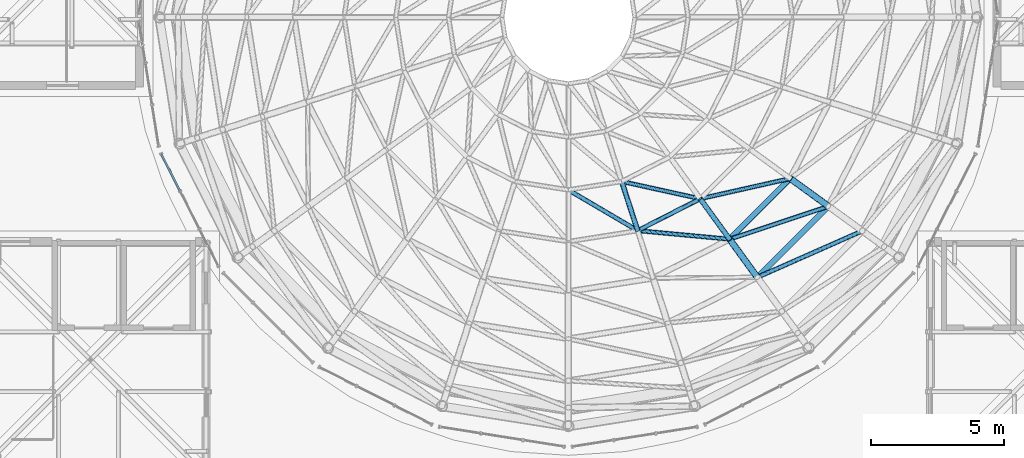
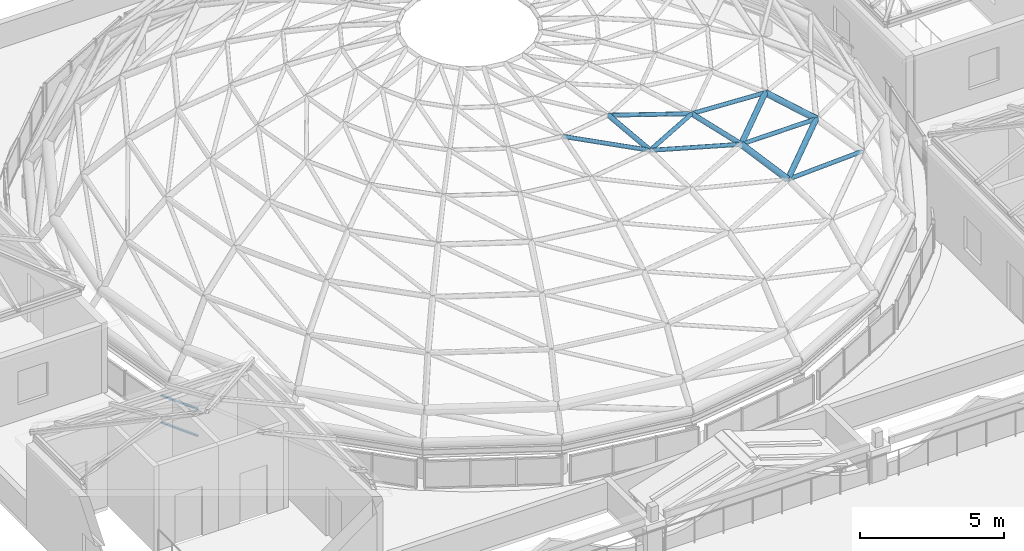
# One storey, part 20 of 69: 15 members, 1 element without a shape of its own.
"""IFC4 building model written with IfcOpenShell, lengths in metres."""

import ifcopenshell
import ifcopenshell.guid

model = None  # the IFC model being written
_history = None  # IfcOwnerHistory: only IFC2X3 demands one
_inside = {}  # id of a spatial element -> (the spatial element, [elements in it])
_under = {}  # id of a project, library or spatial element -> (it, [spatial elements below it])
_declared = {}  # id of a project -> (the project, [libraries it declares])
_typed = {}  # id of a type object -> (the type object, [elements of that type])
_made_of = {}  # id of a material, layer set ... -> (it, [elements and type objects made of it])


def new_model(schema):
    """Start an empty IFC model of exactly this schema.

    Asked for "IFC4X3", IfcOpenShell would pick the latest addendum, in which some entities
    have other attributes; the version numbers below select the first issue.
    IFC2X3 requires an IfcOwnerHistory on every rooted entity: one is made here for all.
    """
    global model, _history
    if schema == "IFC4X3":
        model = ifcopenshell.file(schema_version=(4, 3, 0, 0))
    else:
        model = ifcopenshell.file(schema=schema)
    _inside.clear()
    _under.clear()
    _declared.clear()
    _typed.clear()
    _made_of.clear()
    _history = None
    if model.schema == "IFC2X3":
        org = make("IfcOrganization", Name="unknown")
        user = make(
            "IfcPersonAndOrganization",
            ThePerson=make("IfcPerson", FamilyName="unknown"),
            TheOrganization=org,
        )
        app = make(
            "IfcApplication",
            ApplicationDeveloper=org,
            Version="unknown",
            ApplicationFullName="unknown",
            ApplicationIdentifier="unknown",
        )
        _history = make(
            "IfcOwnerHistory",
            OwningUser=user,
            OwningApplication=app,
            ChangeAction="ADDED",
            CreationDate=0,
        )
    return model


def make(cls, **values):
    """One entity of the class cls with the attributes given. An attribute that is None is left unset."""
    return model.create_entity(
        cls, **{name: value for name, value in values.items() if value is not None}
    )


def rooted(cls, **values):
    """An entity with a GlobalId (a new one), such as an element, a storey or a relation."""
    return make(cls, GlobalId=ifcopenshell.guid.new(), OwnerHistory=_history, **values)


def si_unit(unit_type, name, prefix=None):
    """IfcSIUnit, for example si_unit("LENGTHUNIT", "METRE", prefix="MILLI")."""
    return make("IfcSIUnit", UnitType=unit_type, Prefix=prefix, Name=name)


def assignment(units):
    """IfcUnitAssignment: the units of a project."""
    return None if units is None else make("IfcUnitAssignment", Units=units)


def point(xyz):
    """IfcCartesianPoint."""
    return None if xyz is None else make("IfcCartesianPoint", Coordinates=xyz)


def direction(xyz):
    """IfcDirection."""
    return None if xyz is None else make("IfcDirection", DirectionRatios=xyz)


def frame(location, z_axis=None, x_axis=None):
    """IfcAxis2Placement3D, a coordinate frame: its origin and axes. An axis left out is left unset."""
    return make(
        "IfcAxis2Placement3D",
        Location=point(location),
        Axis=direction(z_axis),
        RefDirection=direction(x_axis),
    )


def frame_2d(location, x_axis=None):
    """IfcAxis2Placement2D, a coordinate frame in the plane: its origin and x axis."""
    return make(
        "IfcAxis2Placement2D", Location=point(location), RefDirection=direction(x_axis)
    )


def origin():
    """The frame at (0, 0, 0) with its axes left unset."""
    return frame((0.0, 0.0, 0.0))


def origin_2d():
    """The frame at (0, 0) in the plane with its x axis left unset."""
    return frame_2d((0.0, 0.0))


def place(relative_to, where):
    """IfcLocalPlacement: puts the frame where relative to a parent placement (None: the world)."""
    return make(
        "IfcLocalPlacement", PlacementRelTo=relative_to, RelativePlacement=where
    )


def context(
    kind, dimensions, precision=None, world=None, true_north=None, identifier=None
):
    """IfcGeometricRepresentationContext, for example the 3D "Model" context."""
    return make(
        "IfcGeometricRepresentationContext",
        ContextIdentifier=identifier,
        ContextType=kind,
        CoordinateSpaceDimension=dimensions,
        Precision=precision,
        WorldCoordinateSystem=world,
        TrueNorth=true_north,
    )


def subcontext(parent, identifier, kind, view, scale=None):
    """IfcGeometricRepresentationSubContext, for example "Body" below "Model"."""
    return make(
        "IfcGeometricRepresentationSubContext",
        ContextIdentifier=identifier,
        ContextType=kind,
        ParentContext=parent,
        TargetScale=scale,
        TargetView=view,
    )


def project(units=None, contexts=None):
    """IfcProject with its units and contexts."""
    return rooted(
        "IfcProject",
        Name="project",
        RepresentationContexts=contexts,
        UnitsInContext=assignment(units),
    )


def spatial(cls, under=None, at=None, **own):
    """A site, building, storey or space (cls), placed at a placement, below another one or the project."""
    s = rooted(cls, ObjectPlacement=at, **own)
    if under is not None:
        _under.setdefault(under.id(), (under, []))[1].append(s)
    return s


def profile(cls, at=None, kind="AREA", **sizes):
    """A parametric profile (cls). Its sizes go by their IFC names, for example OverallWidth=200.0."""
    return make(cls, ProfileType=kind, Position=at, **sizes)


def hollow_rectangle(**sizes):
    """IfcRectangleHollowProfileDef."""
    return profile("IfcRectangleHollowProfileDef", **sizes)


def hollow_circle(**sizes):
    """IfcCircleHollowProfileDef."""
    return profile("IfcCircleHollowProfileDef", **sizes)


def extrude(swept, where, along, depth):
    """IfcExtrudedAreaSolid: the profile swept, set in the frame where, extruded along a direction by depth."""
    return make(
        "IfcExtrudedAreaSolid",
        SweptArea=swept,
        Position=where,
        ExtrudedDirection=direction(along),
        Depth=depth,
    )


def shape(context_of_items, identifier, shape_type, items):
    """IfcShapeRepresentation: the items that make up one representation, for example the "Body"."""
    return make(
        "IfcShapeRepresentation",
        ContextOfItems=context_of_items,
        RepresentationIdentifier=identifier,
        RepresentationType=shape_type,
        Items=items,
    )


def material(Name=None, Category=None):
    """IfcMaterial."""
    return make("IfcMaterial", Name=Name, Category=Category)


def layer(
    of_material, thickness, ventilated=None, Name=None, Category=None, Priority=None
):
    """IfcMaterialLayer: one layer of a wall or slab, of a material (None: an air gap)."""
    return make(
        "IfcMaterialLayer",
        Material=of_material,
        LayerThickness=thickness,
        IsVentilated=ventilated,
        Name=Name,
        Category=Category,
        Priority=Priority,
    )


def layer_set(layers, Name=None):
    """IfcMaterialLayerSet."""
    return make("IfcMaterialLayerSet", MaterialLayers=layers, LayerSetName=Name)


def material_profile(
    of_material, cross_section, Name=None, Category=None, Priority=None
):
    """IfcMaterialProfile: a cross section and its material."""
    return make(
        "IfcMaterialProfile",
        Name=Name,
        Material=of_material,
        Profile=cross_section,
        Priority=Priority,
        Category=Category,
    )


def profile_set(profiles, Name=None, composite=None):
    """IfcMaterialProfileSet."""
    return make(
        "IfcMaterialProfileSet",
        Name=Name,
        MaterialProfiles=profiles,
        CompositeProfile=composite,
    )


def made_of(thing, what):
    """Note that an element or type object is made of a material, layer set ...; save() writes the relation."""
    if what is not None:
        _made_of.setdefault(what.id(), (what, []))[1].append(thing)
    return thing


def type_object(cls, material=None, **own):
    """A type object (cls), such as IfcWallType, which elements share."""
    return made_of(rooted(cls, **own), material)


def element(
    cls,
    number,
    at=None,
    inside=None,
    cuts=None,
    type_object=None,
    material=None,
    context=None,
    identifier="Body",
    shape_type=None,
    held_by="IfcProductDefinitionShape",
    body=None,
    shapes=None,
    **own,
):
    """One element of the class cls, such as IfcWall. Its Tag is "e" and its number.

    at: its placement. inside: the storey or other place that contains it. cuts: it is an
    opening in that element (IfcRelVoidsElement). A single representation is given by context,
    identifier, shape_type and body (its items); several are given by shapes. held_by: the class
    of the entity that holds the representations. save() writes the other relations.
    """
    e = rooted(cls, Tag="e%d" % number, ObjectPlacement=at, **own)
    if body is not None:
        shapes = [shape(context, identifier, shape_type, body)]
    if shapes is not None:
        e.Representation = make(held_by, Representations=shapes)
    if inside is not None:
        _inside.setdefault(inside.id(), (inside, []))[1].append(e)
    if cuts is not None:
        rooted(
            "IfcRelVoidsElement", RelatingBuildingElement=cuts, RelatedOpeningElement=e
        )
    if type_object is not None:
        _typed.setdefault(type_object.id(), (type_object, []))[1].append(e)
    return made_of(e, material)


def aggregate(whole, parts):
    """IfcRelAggregates: a whole, such as a stair, and the parts it consists of."""
    return rooted("IfcRelAggregates", RelatingObject=whole, RelatedObjects=parts)


def save(model, path):
    """Write the relations noted so far, then the file.

    IfcRelAggregates (storeys below a building ...), IfcRelContainedInSpatialStructure (elements
    in a storey), IfcRelDefinesByType, IfcRelAssociatesMaterial and IfcRelDeclares: one each for
    every whole, place, type object, material and project.
    """
    for whole, parts in _under.values():
        aggregate(whole, parts)
    for where, things in _inside.values():
        rooted(
            "IfcRelContainedInSpatialStructure",
            RelatedElements=things,
            RelatingStructure=where,
        )
    for kind, things in _typed.values():
        rooted("IfcRelDefinesByType", RelatedObjects=things, RelatingType=kind)
    for what, things in _made_of.values():
        rooted("IfcRelAssociatesMaterial", RelatedObjects=things, RelatingMaterial=what)
    for by, libraries in _declared.values():
        rooted("IfcRelDeclares", RelatingContext=by, RelatedDefinitions=libraries)
    model.write(path)


model = new_model("IFC4")

# Units and contexts
model_context = context("Model", 3, precision=1e-05, world=origin(), true_north=direction((0.0, 1.0)))
body_context = subcontext(model_context, "Body", "Model", "MODEL_VIEW")
ifc_project = project(units=[si_unit("LENGTHUNIT", "METRE"), si_unit("AREAUNIT", "SQUARE_METRE"), si_unit("VOLUMEUNIT", "CUBIC_METRE"), si_unit("PLANEANGLEUNIT", "RADIAN"), si_unit("MASSUNIT", "GRAM", prefix="KILO")], contexts=[model_context])

# Site, building, storey
site_placement = place(None, origin())
site = spatial("IfcSite", under=ifc_project, at=site_placement, CompositionType="ELEMENT")
building_placement = place(site_placement, origin())
building = spatial("IfcBuilding", under=site, at=building_placement, Name="Kallimachos Central Library", CompositionType="ELEMENT")
storey_placement = place(building_placement, frame((0.0, 0.0, 23.39990234375)))
storey = spatial("IfcBuildingStorey", under=building, at=storey_placement, Name="L05", CompositionType="ELEMENT", Elevation=23.39990234375)

# Members
ifc_material_1 = material(Name="Steel S355J2H", Category="steel")
ifc_material_profile_1 = material_profile(ifc_material_1, hollow_circle(Radius=0.084228515625, WallThickness=0.008056640625, at=origin_2d()), Name="CHS 168.3x8")
ifc_profile_set_1 = profile_set([ifc_material_profile_1], Name="Steel S355J2H")
member_type_1 = type_object("IfcMemberType", Name="CHS 168.3x8 dome diagonal", PredefinedType="BRACE", material=ifc_profile_set_1)
member_1_placement = place(storey_placement, frame((88.0, 97.89697265625, 7.582763671875), z_axis=(0.84718342101, -0.497569769146, -0.186291642316), x_axis=(0.506435174875, 0.862278037323, 0.0)))
element("IfcMember", 1, at=member_1_placement, inside=storey, type_object=member_type_1, Name="Dome diagonal DD-2-15", PredefinedType="BRACE", context=body_context, shape_type="SweptSolid", body=[
    extrude(hollow_circle(Radius=0.084228515625, WallThickness=0.008056640625, at=origin_2d()), origin(), (0.0, 0.0, 1.0), 3.082275390625),
])
member_2_placement = place(storey_placement, frame((90.009521484375, 98.21533203125, 7.582763671875), z_axis=(0.959483109122, -0.211396765581, -0.186288944416), x_axis=(0.215163196886, 0.976578106813, 0.0)))
element("IfcMember", 2, at=member_2_placement, inside=storey, type_object=member_type_1, Name="Dome diagonal DD-2-16", PredefinedType="BRACE", context=body_context, shape_type="SweptSolid", body=[
    extrude(hollow_circle(Radius=0.084228515625, WallThickness=0.008056640625, at=origin_2d()), origin(), (0.0, 0.0, 1.0), 3.08251953125),
])
member_3_placement = place(storey_placement, frame((90.611328125, 96.36328125, 7.008544921875), z_axis=(0.972721184425, -0.090618101878, -0.213545913055), x_axis=(0.092757742029, 0.995688707023, 0.0)))
element("IfcMember", 3, at=member_3_placement, inside=storey, type_object=member_type_1, Name="Dome diagonal DD-3-16", PredefinedType="BRACE", context=body_context, shape_type="SweptSolid", body=[
    extrude(hollow_circle(Radius=0.084228515625, WallThickness=0.008056640625, at=origin_2d()), origin(), (0.0, 0.0, 1.0), 3.55908203125),
])
member_4_placement = place(storey_placement, frame((92.967041015625, 97.563720703125, 7.008544921875), z_axis=(0.953121366565, 0.214373418059, -0.213550224134), x_axis=(-0.219435333332, 0.975627046819, 0.0)))
element("IfcMember", 4, at=member_4_placement, inside=storey, type_object=member_type_1, Name="Dome diagonal DD-3-17", PredefinedType="BRACE", context=body_context, shape_type="SweptSolid", body=[
    extrude(hollow_circle(Radius=0.084228515625, WallThickness=0.008056640625, at=origin_2d()), origin(), (0.0, 0.0, 1.0), 3.558837890625),
])
member_5_placement = place(storey_placement, frame((94.0732421875, 96.040771484375, 6.24853515625), z_axis=(0.920371959634, 0.306931465917, -0.242298434065), x_axis=(-0.316358386812, 0.948639747793, 0.0)))
element("IfcMember", 5, at=member_5_placement, inside=storey, type_object=member_type_1, Name="Dome diagonal DD-4-17", PredefinedType="BRACE", context=body_context, shape_type="SweptSolid", body=[
    extrude(hollow_circle(Radius=0.084228515625, WallThickness=0.008056640625, at=origin_2d()), origin(), (0.0, 0.0, 1.0), 4.04541015625),
])
member_6_placement = place(storey_placement, frame((95.11767578125, 94.603515625, 5.268310546875), z_axis=(0.877540231367, 0.388146959444, -0.281540548069), x_axis=(-0.404509644953, 0.914533732095, 0.0)))
element("IfcMember", 6, at=member_6_placement, inside=storey, type_object=member_type_1, Name="Dome diagonal DD-5-17", PredefinedType="BRACE", context=body_context, shape_type="SweptSolid", body=[
    extrude(hollow_circle(Radius=0.084228515625, WallThickness=0.008056640625, at=origin_2d()), origin(), (0.0, 0.0, 1.0), 4.50927734375),
])
ifc_material_2 = material(Name="Steel S355J2H", Category="steel")
ifc_material_profile_2 = material_profile(ifc_material_2, hollow_circle(Radius=0.084228515625, WallThickness=0.008056640625, at=origin_2d()), Name="CHS 168.3x8")
ifc_profile_set_2 = profile_set([ifc_material_profile_2], Name="Steel S355J2H")
member_type_2 = type_object("IfcMemberType", Name="CHS 168.3x8 dome ring", PredefinedType="PURLIN", material=ifc_profile_set_2)
member_7_placement = place(storey_placement, frame((90.611328125, 96.36328125, 7.008544921875), z_axis=(0.890984525053, 0.454033672887, 0.0), x_axis=(-0.454033672887, 0.890984525053, 0.0)))
element("IfcMember", 7, at=member_7_placement, inside=storey, type_object=member_type_2, Name="Dome ring DN-3-16", PredefinedType="PURLIN", context=body_context, shape_type="SweptSolid", body=[
    extrude(hollow_circle(Radius=0.084228515625, WallThickness=0.008056640625, at=origin_2d()), origin(), (0.0, 0.0, 1.0), 2.64404296875),
])
ifc_material_3 = material(Name="Steel S355J2H", Category="steel")
ifc_material_profile_3 = material_profile(ifc_material_3, hollow_circle(Radius=0.096923828125, WallThickness=0.010009765625, at=origin_2d()), Name="CHS 193.7x10")
ifc_profile_set_3 = profile_set([ifc_material_profile_3], Name="Steel S355J2H")
member_type_3 = type_object("IfcMemberType", Name="CHS 193.7x10 dome rib", PredefinedType="RAFTER", material=ifc_profile_set_3)
member_8_placement = place(storey_placement, frame((90.009521484375, 98.21533203125, 7.582763671875), z_axis=(0.296417255787, -0.912219595294, -0.28282895968), x_axis=(0.951050650963, 0.309035045429, 0.0)))
element("IfcMember", 8, at=member_8_placement, inside=storey, type_object=member_type_3, Name="Dome rib DR-2-16", PredefinedType="RAFTER", context=body_context, shape_type="SweptSolid", body=[
    extrude(hollow_circle(Radius=0.096923828125, WallThickness=0.010009765625, at=origin_2d()), origin(), (0.0, 0.0, 1.0), 2.0302734375),
])
member_9_placement = place(storey_placement, frame((92.967041015625, 97.563720703125, 7.008544921875), z_axis=(0.544941880115, -0.750242208819, -0.374399486382), x_axis=(0.80908929226, 0.587685729918, 0.0)))
element("IfcMember", 9, at=member_9_placement, inside=storey, type_object=member_type_3, Name="Dome rib DR-3-17", PredefinedType="RAFTER", context=body_context, shape_type="SweptSolid", body=[
    extrude(hollow_circle(Radius=0.096923828125, WallThickness=0.010009765625, at=origin_2d()), origin(), (0.0, 0.0, 1.0), 2.030029296875),
])
ifc_material_4 = material(Name="Steel S355J2H", Category="steel")
ifc_material_profile_4 = material_profile(ifc_material_4, hollow_circle(Radius=0.109619140625, WallThickness=0.012451171875, at=origin_2d()), Name="CHS 219.1x12.5")
ifc_profile_set_4 = profile_set([ifc_material_profile_4], Name="Steel S355J2H")
member_type_4 = type_object("IfcMemberType", Name="CHS 219.1x12.5 dome ring", PredefinedType="PURLIN", material=ifc_profile_set_4)
member_10_placement = place(storey_placement, frame((94.0732421875, 96.040771484375, 6.24853515625), z_axis=(0.707106781187, 0.707106781187, 0.0), x_axis=(-0.707106781187, 0.707106781187, 0.0)))
element("IfcMember", 10, at=member_10_placement, inside=storey, type_object=member_type_4, Name="Dome ring DN-4-17", PredefinedType="PURLIN", context=body_context, shape_type="SweptSolid", body=[
    extrude(hollow_circle(Radius=0.109619140625, WallThickness=0.012451171875, at=origin_2d()), origin(), (0.0, 0.0, 1.0), 3.232666015625),
])
member_11_placement = place(storey_placement, frame((95.11767578125, 94.603515625, 5.268310546875), z_axis=(0.707106781187, 0.707106781187, 0.0), x_axis=(-0.707106781187, 0.707106781187, 0.0)))
element("IfcMember", 11, at=member_11_placement, inside=storey, type_object=member_type_4, Name="Dome ring DN-5-17", PredefinedType="PURLIN", context=body_context, shape_type="SweptSolid", body=[
    extrude(hollow_circle(Radius=0.109619140625, WallThickness=0.012451171875, at=origin_2d()), origin(), (0.0, 0.0, 1.0), 3.78857421875),
])
ifc_material_5 = material(Name="Steel S355J2H", Category="steel")
ifc_material_profile_5 = material_profile(ifc_material_5, hollow_circle(Radius=0.122314453125, WallThickness=0.012451171875, at=origin_2d()), Name="CHS 244.5x12.5")
ifc_profile_set_5 = profile_set([ifc_material_profile_5], Name="Steel S355J2H")
member_type_5 = type_object("IfcMemberType", Name="CHS 244.5x12.5 dome rib", PredefinedType="RAFTER", material=ifc_profile_set_5)
member_12_placement = place(storey_placement, frame((94.0732421875, 96.040771484375, 6.24853515625), z_axis=(0.514718797347, -0.708309855068, -0.483075262119), x_axis=(0.808961830898, 0.587861170814, 0.0)))
element("IfcMember", 12, at=member_12_placement, inside=storey, type_object=member_type_5, Name="Dome rib DR-4-17", PredefinedType="RAFTER", context=body_context, shape_type="SweptSolid", body=[
    extrude(hollow_circle(Radius=0.122314453125, WallThickness=0.012451171875, at=origin_2d()), origin(), (0.0, 0.0, 1.0), 2.029052734375),
])
member_13_placement = place(storey_placement, frame((96.359130859375, 98.32666015625, 6.24853515625), z_axis=(0.708413661964, -0.51458648645, -0.48306400353), x_axis=(0.587705889038, 0.809074649207, 0.0)))
element("IfcMember", 13, at=member_13_placement, inside=storey, type_object=member_type_5, Name="Dome rib DR-4-18", PredefinedType="RAFTER", context=body_context, shape_type="SweptSolid", body=[
    extrude(hollow_circle(Radius=0.122314453125, WallThickness=0.012451171875, at=origin_2d()), origin(), (0.0, 0.0, 1.0), 2.029296875),
])

# Curtain wall, members
ifc_material_6 = material(Name="Anodised aluminium and laminated glass", Category="aluminium")
ifc_layer = layer(ifc_material_6, 0.159912109375)
ifc_layer_set = layer_set([ifc_layer], Name="Glass box curtain wall")
curtain_wall_type = type_object("IfcCurtainWallType", Name="Glass box curtain wall", PredefinedType="NOTDEFINED", material=ifc_layer_set)
curtain_wall_placement = place(storey_placement, origin())
curtain_wall = element("IfcCurtainWall", 14, at=curtain_wall_placement, inside=storey, type_object=curtain_wall_type, Name="Drum clerestory facet 12", PredefinedType="NOTDEFINED")
ifc_material_7 = material(Name="Anodised aluminium", Category="aluminium")
ifc_material_profile_6 = material_profile(ifc_material_7, hollow_rectangle(XDim=0.06005859375, YDim=0.080078125, WallThickness=0.00390625, at=origin_2d()), Name="ALU TRANSOM 60x80")
ifc_profile_set_6 = profile_set([ifc_material_profile_6], Name="Anodised aluminium")
member_type_6 = type_object("IfcMemberType", Name="Glass box transom 60x80", PredefinedType="USERDEFINED", material=ifc_profile_set_6)
member_14_placement = place(storey_placement, frame((72.675048828125, 99.233642578125, 0.030029296875), z_axis=(0.454077415739, -0.890962232935, 0.0), x_axis=(0.0, 0.0, 1.0)))
member_14 = element("IfcMember", 15, at=member_14_placement, type_object=member_type_6, Name="CW46 transom 1.1", ObjectType="TRANSOM", PredefinedType="USERDEFINED", context=body_context, shape_type="SweptSolid", body=[
    extrude(hollow_rectangle(XDim=0.06005859375, YDim=0.080078125, WallThickness=0.00390625, at=origin_2d()), origin(), (0.0, 0.0, 1.0), 1.51953125),
])
member_15_placement = place(storey_placement, frame((72.675048828125, 99.233642578125, 1.170166015625), z_axis=(0.454077415739, -0.890962232935, 0.0), x_axis=(0.0, 0.0, 1.0)))
member_15 = element("IfcMember", 16, at=member_15_placement, type_object=member_type_6, Name="CW46 transom 1.2", ObjectType="TRANSOM", PredefinedType="USERDEFINED", context=body_context, shape_type="SweptSolid", body=[
    extrude(hollow_rectangle(XDim=0.06005859375, YDim=0.080078125, WallThickness=0.00390625, at=origin_2d()), origin(), (0.0, 0.0, 1.0), 1.51953125),
])
aggregate(curtain_wall, [member_14, member_15])

save(model, "model.ifc")
